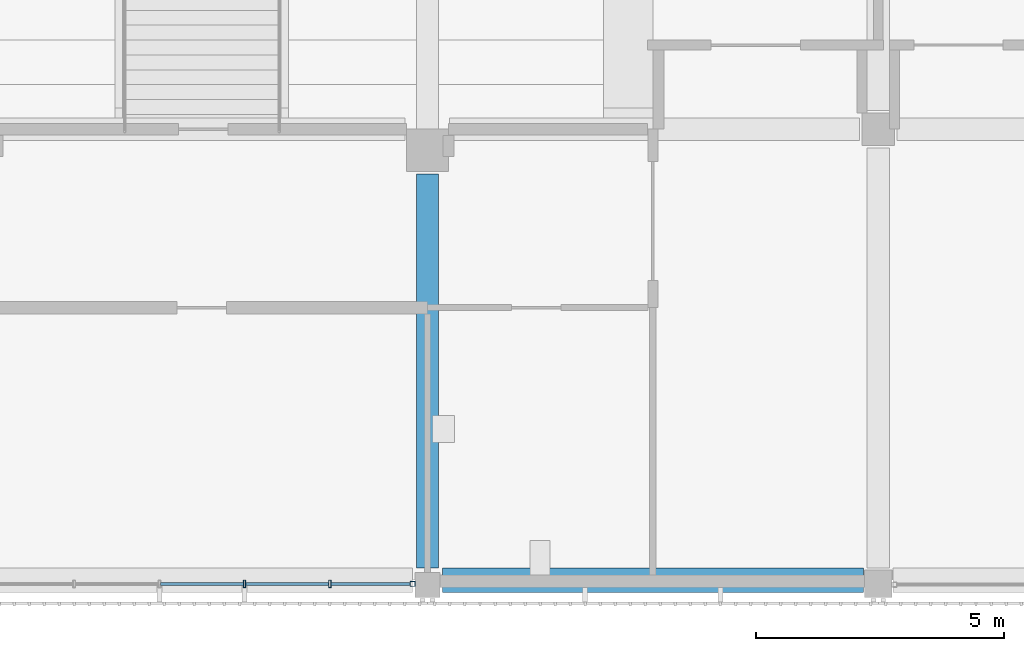
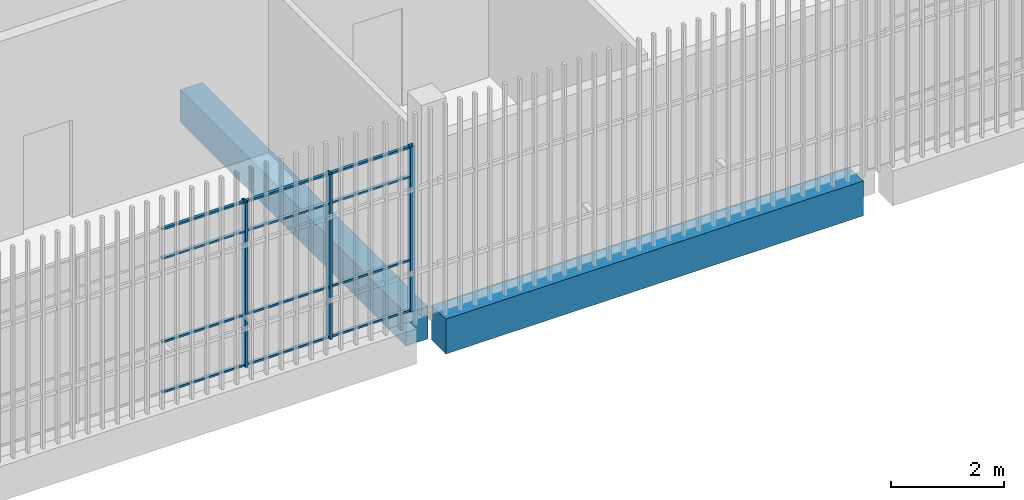
# One storey, part 28 of 139: 15 members, 2 beams, 1 element without a shape of its own.
"""IFC4 building model written with IfcOpenShell, lengths in metres."""

import ifcopenshell
import ifcopenshell.guid

model = None  # the IFC model being written
_history = None  # IfcOwnerHistory: only IFC2X3 demands one
_inside = {}  # id of a spatial element -> (the spatial element, [elements in it])
_under = {}  # id of a project, library or spatial element -> (it, [spatial elements below it])
_declared = {}  # id of a project -> (the project, [libraries it declares])
_typed = {}  # id of a type object -> (the type object, [elements of that type])
_made_of = {}  # id of a material, layer set ... -> (it, [elements and type objects made of it])


def new_model(schema):
    """Start an empty IFC model of exactly this schema.

    Asked for "IFC4X3", IfcOpenShell would pick the latest addendum, in which some entities
    have other attributes; the version numbers below select the first issue.
    IFC2X3 requires an IfcOwnerHistory on every rooted entity: one is made here for all.
    """
    global model, _history
    if schema == "IFC4X3":
        model = ifcopenshell.file(schema_version=(4, 3, 0, 0))
    else:
        model = ifcopenshell.file(schema=schema)
    _inside.clear()
    _under.clear()
    _declared.clear()
    _typed.clear()
    _made_of.clear()
    _history = None
    if model.schema == "IFC2X3":
        org = make("IfcOrganization", Name="unknown")
        user = make(
            "IfcPersonAndOrganization",
            ThePerson=make("IfcPerson", FamilyName="unknown"),
            TheOrganization=org,
        )
        app = make(
            "IfcApplication",
            ApplicationDeveloper=org,
            Version="unknown",
            ApplicationFullName="unknown",
            ApplicationIdentifier="unknown",
        )
        _history = make(
            "IfcOwnerHistory",
            OwningUser=user,
            OwningApplication=app,
            ChangeAction="ADDED",
            CreationDate=0,
        )
    return model


def make(cls, **values):
    """One entity of the class cls with the attributes given. An attribute that is None is left unset."""
    return model.create_entity(
        cls, **{name: value for name, value in values.items() if value is not None}
    )


def rooted(cls, **values):
    """An entity with a GlobalId (a new one), such as an element, a storey or a relation."""
    return make(cls, GlobalId=ifcopenshell.guid.new(), OwnerHistory=_history, **values)


def si_unit(unit_type, name, prefix=None):
    """IfcSIUnit, for example si_unit("LENGTHUNIT", "METRE", prefix="MILLI")."""
    return make("IfcSIUnit", UnitType=unit_type, Prefix=prefix, Name=name)


def assignment(units):
    """IfcUnitAssignment: the units of a project."""
    return None if units is None else make("IfcUnitAssignment", Units=units)


def point(xyz):
    """IfcCartesianPoint."""
    return None if xyz is None else make("IfcCartesianPoint", Coordinates=xyz)


def direction(xyz):
    """IfcDirection."""
    return None if xyz is None else make("IfcDirection", DirectionRatios=xyz)


def frame(location, z_axis=None, x_axis=None):
    """IfcAxis2Placement3D, a coordinate frame: its origin and axes. An axis left out is left unset."""
    return make(
        "IfcAxis2Placement3D",
        Location=point(location),
        Axis=direction(z_axis),
        RefDirection=direction(x_axis),
    )


def frame_2d(location, x_axis=None):
    """IfcAxis2Placement2D, a coordinate frame in the plane: its origin and x axis."""
    return make(
        "IfcAxis2Placement2D", Location=point(location), RefDirection=direction(x_axis)
    )


def origin():
    """The frame at (0, 0, 0) with its axes left unset."""
    return frame((0.0, 0.0, 0.0))


def origin_2d():
    """The frame at (0, 0) in the plane with its x axis left unset."""
    return frame_2d((0.0, 0.0))


def place(relative_to, where):
    """IfcLocalPlacement: puts the frame where relative to a parent placement (None: the world)."""
    return make(
        "IfcLocalPlacement", PlacementRelTo=relative_to, RelativePlacement=where
    )


def context(
    kind, dimensions, precision=None, world=None, true_north=None, identifier=None
):
    """IfcGeometricRepresentationContext, for example the 3D "Model" context."""
    return make(
        "IfcGeometricRepresentationContext",
        ContextIdentifier=identifier,
        ContextType=kind,
        CoordinateSpaceDimension=dimensions,
        Precision=precision,
        WorldCoordinateSystem=world,
        TrueNorth=true_north,
    )


def subcontext(parent, identifier, kind, view, scale=None):
    """IfcGeometricRepresentationSubContext, for example "Body" below "Model"."""
    return make(
        "IfcGeometricRepresentationSubContext",
        ContextIdentifier=identifier,
        ContextType=kind,
        ParentContext=parent,
        TargetScale=scale,
        TargetView=view,
    )


def project(units=None, contexts=None):
    """IfcProject with its units and contexts."""
    return rooted(
        "IfcProject",
        Name="project",
        RepresentationContexts=contexts,
        UnitsInContext=assignment(units),
    )


def spatial(cls, under=None, at=None, **own):
    """A site, building, storey or space (cls), placed at a placement, below another one or the project."""
    s = rooted(cls, ObjectPlacement=at, **own)
    if under is not None:
        _under.setdefault(under.id(), (under, []))[1].append(s)
    return s


def profile(cls, at=None, kind="AREA", **sizes):
    """A parametric profile (cls). Its sizes go by their IFC names, for example OverallWidth=200.0."""
    return make(cls, ProfileType=kind, Position=at, **sizes)


def rectangle(**sizes):
    """IfcRectangleProfileDef."""
    return profile("IfcRectangleProfileDef", **sizes)


def hollow_rectangle(**sizes):
    """IfcRectangleHollowProfileDef."""
    return profile("IfcRectangleHollowProfileDef", **sizes)


def extrude(swept, where, along, depth):
    """IfcExtrudedAreaSolid: the profile swept, set in the frame where, extruded along a direction by depth."""
    return make(
        "IfcExtrudedAreaSolid",
        SweptArea=swept,
        Position=where,
        ExtrudedDirection=direction(along),
        Depth=depth,
    )


def shape(context_of_items, identifier, shape_type, items):
    """IfcShapeRepresentation: the items that make up one representation, for example the "Body"."""
    return make(
        "IfcShapeRepresentation",
        ContextOfItems=context_of_items,
        RepresentationIdentifier=identifier,
        RepresentationType=shape_type,
        Items=items,
    )


def material(Name=None, Category=None):
    """IfcMaterial."""
    return make("IfcMaterial", Name=Name, Category=Category)


def layer(
    of_material, thickness, ventilated=None, Name=None, Category=None, Priority=None
):
    """IfcMaterialLayer: one layer of a wall or slab, of a material (None: an air gap)."""
    return make(
        "IfcMaterialLayer",
        Material=of_material,
        LayerThickness=thickness,
        IsVentilated=ventilated,
        Name=Name,
        Category=Category,
        Priority=Priority,
    )


def layer_set(layers, Name=None):
    """IfcMaterialLayerSet."""
    return make("IfcMaterialLayerSet", MaterialLayers=layers, LayerSetName=Name)


def material_profile(
    of_material, cross_section, Name=None, Category=None, Priority=None
):
    """IfcMaterialProfile: a cross section and its material."""
    return make(
        "IfcMaterialProfile",
        Name=Name,
        Material=of_material,
        Profile=cross_section,
        Priority=Priority,
        Category=Category,
    )


def profile_set(profiles, Name=None, composite=None):
    """IfcMaterialProfileSet."""
    return make(
        "IfcMaterialProfileSet",
        Name=Name,
        MaterialProfiles=profiles,
        CompositeProfile=composite,
    )


def made_of(thing, what):
    """Note that an element or type object is made of a material, layer set ...; save() writes the relation."""
    if what is not None:
        _made_of.setdefault(what.id(), (what, []))[1].append(thing)
    return thing


def type_object(cls, material=None, **own):
    """A type object (cls), such as IfcWallType, which elements share."""
    return made_of(rooted(cls, **own), material)


def element(
    cls,
    number,
    at=None,
    inside=None,
    cuts=None,
    type_object=None,
    material=None,
    context=None,
    identifier="Body",
    shape_type=None,
    held_by="IfcProductDefinitionShape",
    body=None,
    shapes=None,
    **own,
):
    """One element of the class cls, such as IfcWall. Its Tag is "e" and its number.

    at: its placement. inside: the storey or other place that contains it. cuts: it is an
    opening in that element (IfcRelVoidsElement). A single representation is given by context,
    identifier, shape_type and body (its items); several are given by shapes. held_by: the class
    of the entity that holds the representations. save() writes the other relations.
    """
    e = rooted(cls, Tag="e%d" % number, ObjectPlacement=at, **own)
    if body is not None:
        shapes = [shape(context, identifier, shape_type, body)]
    if shapes is not None:
        e.Representation = make(held_by, Representations=shapes)
    if inside is not None:
        _inside.setdefault(inside.id(), (inside, []))[1].append(e)
    if cuts is not None:
        rooted(
            "IfcRelVoidsElement", RelatingBuildingElement=cuts, RelatedOpeningElement=e
        )
    if type_object is not None:
        _typed.setdefault(type_object.id(), (type_object, []))[1].append(e)
    return made_of(e, material)


def aggregate(whole, parts):
    """IfcRelAggregates: a whole, such as a stair, and the parts it consists of."""
    return rooted("IfcRelAggregates", RelatingObject=whole, RelatedObjects=parts)


def save(model, path):
    """Write the relations noted so far, then the file.

    IfcRelAggregates (storeys below a building ...), IfcRelContainedInSpatialStructure (elements
    in a storey), IfcRelDefinesByType, IfcRelAssociatesMaterial and IfcRelDeclares: one each for
    every whole, place, type object, material and project.
    """
    for whole, parts in _under.values():
        aggregate(whole, parts)
    for where, things in _inside.values():
        rooted(
            "IfcRelContainedInSpatialStructure",
            RelatedElements=things,
            RelatingStructure=where,
        )
    for kind, things in _typed.values():
        rooted("IfcRelDefinesByType", RelatedObjects=things, RelatingType=kind)
    for what, things in _made_of.values():
        rooted("IfcRelAssociatesMaterial", RelatedObjects=things, RelatingMaterial=what)
    for by, libraries in _declared.values():
        rooted("IfcRelDeclares", RelatingContext=by, RelatedDefinitions=libraries)
    model.write(path)


model = new_model("IFC4")

# Units and contexts
model_context = context("Model", 3, precision=1e-05, world=origin(), true_north=direction((0.0, 1.0)))
body_context = subcontext(model_context, "Body", "Model", "MODEL_VIEW")
ifc_project = project(units=[si_unit("LENGTHUNIT", "METRE"), si_unit("AREAUNIT", "SQUARE_METRE"), si_unit("VOLUMEUNIT", "CUBIC_METRE"), si_unit("PLANEANGLEUNIT", "RADIAN"), si_unit("MASSUNIT", "GRAM", prefix="KILO")], contexts=[model_context])

# Site, building, storey
site_placement = place(None, origin())
site = spatial("IfcSite", under=ifc_project, at=site_placement, CompositionType="ELEMENT")
building_placement = place(site_placement, origin())
building = spatial("IfcBuilding", under=site, at=building_placement, Name="Shirokan Park Arena", CompositionType="ELEMENT")
storey_placement = place(building_placement, frame((0.0, 0.0, 15.469970703125)))
storey = spatial("IfcBuildingStorey", under=building, at=storey_placement, Name="L03", CompositionType="ELEMENT", Elevation=15.469970703125)

# Curtain wall, members
ifc_material_1 = material(Name="Steel and glass curtain wall", Category="steel")
ifc_layer = layer(ifc_material_1, 0.14990234375)
ifc_layer_set = layer_set([ifc_layer], Name="Steel and glass curtain wall 150 mm")
curtain_wall_type = type_object("IfcCurtainWallType", Name="Curtain wall exposed bay 150", PredefinedType="NOTDEFINED", material=ifc_layer_set)
curtain_wall_placement = place(storey_placement, origin())
curtain_wall = element("IfcCurtainWall", 1, at=curtain_wall_placement, inside=storey, type_object=curtain_wall_type, Name="Curtain wall south bay 11 L03", PredefinedType="NOTDEFINED")
ifc_material_2 = material(Name="Steel S355", Category="steel")
ifc_material_profile_1 = material_profile(ifc_material_2, hollow_rectangle(XDim=0.10009765625, YDim=0.10009765625, WallThickness=0.006103515625, at=origin_2d()), Name="RHS 100x100x6")
ifc_profile_set_1 = profile_set([ifc_material_profile_1], Name="Steel S355")
member_type_1 = type_object("IfcMemberType", Name="Mullion RHS 100x100x6", PredefinedType="MULLION", material=ifc_profile_set_1)
member_1_placement = place(storey_placement, frame((99.800048828125, -0.074951171875, 0.0), z_axis=(0.0, 0.0, 1.0), x_axis=(0.0, 1.0, 0.0)))
member_1 = element("IfcMember", 2, at=member_1_placement, type_object=member_type_1, Name="CW1 mullion 6", PredefinedType="MULLION", context=body_context, shape_type="SweptSolid", body=[
    extrude(hollow_rectangle(XDim=0.10009765625, YDim=0.10009765625, WallThickness=0.006103515625, at=origin_2d()), origin(), (0.0, 0.0, 1.0), 3.550048828125),
])
ifc_material_profile_2 = material_profile(ifc_material_2, hollow_rectangle(XDim=0.14990234375, YDim=0.050048828125, WallThickness=0.006103515625, at=origin_2d()), Name="RHS 150x50x6")
ifc_profile_set_2 = profile_set([ifc_material_profile_2], Name="Steel S355")
member_type_2 = type_object("IfcMemberType", Name="Mullion RHS 150x50x6", PredefinedType="MULLION", material=ifc_profile_set_2)
member_2_placement = place(storey_placement, frame((96.409912109375, -0.074951171875, 0.0), z_axis=(0.0, 0.0, 1.0), x_axis=(0.0, 1.0, 0.0)))
member_2 = element("IfcMember", 3, at=member_2_placement, type_object=member_type_2, Name="CW1 mullion 4", PredefinedType="MULLION", context=body_context, shape_type="SweptSolid", body=[
    extrude(hollow_rectangle(XDim=0.14990234375, YDim=0.050048828125, WallThickness=0.006103515625, at=origin_2d()), origin(), (0.0, 0.0, 1.0), 3.550048828125),
])
member_3_placement = place(storey_placement, frame((98.1298828125, -0.074951171875, 0.0), z_axis=(0.0, 0.0, 1.0), x_axis=(0.0, 1.0, 0.0)))
member_3 = element("IfcMember", 4, at=member_3_placement, type_object=member_type_2, Name="CW1 mullion 5", PredefinedType="MULLION", context=body_context, shape_type="SweptSolid", body=[
    extrude(hollow_rectangle(XDim=0.14990234375, YDim=0.050048828125, WallThickness=0.006103515625, at=origin_2d()), origin(), (0.0, 0.0, 1.0), 3.550048828125),
])

# Beams
ifc_material_3 = material(Name="Concrete C35", Category="concrete")
ifc_material_profile_3 = material_profile(ifc_material_3, rectangle(XDim=0.449951171875, YDim=0.699951171875, at=origin_2d()), Name="450x700")
ifc_profile_set_3 = profile_set([ifc_material_profile_3], Name="Concrete C35")
beam_type_1 = type_object("IfcBeamType", Name="RC girder 450x700", PredefinedType="BEAM", material=ifc_profile_set_3)
beam_1_placement = place(storey_placement, frame((100.10009765625, 0.25, -0.64990234375), z_axis=(0.0, 1.0, 0.0), x_axis=(-1.0, 0.0, 0.0)))
element("IfcBeam", 5, at=beam_1_placement, inside=storey, type_object=beam_type_1, Name="Girder 12A-12B L03", PredefinedType="BEAM", context=body_context, shape_type="SweptSolid", body=[
    extrude(rectangle(XDim=0.449951171875, YDim=0.699951171875, at=origin_2d()), origin(), (0.0, 0.0, 1.0), 7.949951171875),
])
ifc_material_profile_4 = material_profile(ifc_material_3, rectangle(XDim=0.5, YDim=0.75, at=origin_2d()), Name="500x750")
ifc_profile_set_4 = profile_set([ifc_material_profile_4], Name="Concrete C35")
beam_type_2 = type_object("IfcBeamType", Name="RC girder 500x750", PredefinedType="BEAM", material=ifc_profile_set_4)
beam_2_placement = place(storey_placement, frame((100.400146484375, 0.0, -0.675048828125), z_axis=(1.0, 0.0, 0.0), x_axis=(0.0, 1.0, 0.0)))
element("IfcBeam", 6, at=beam_2_placement, inside=storey, type_object=beam_type_2, Name="Girder 12A-13A L03", PredefinedType="BEAM", context=body_context, shape_type="SweptSolid", body=[
    extrude(rectangle(XDim=0.5, YDim=0.75, at=origin_2d()), origin(), (0.0, 0.0, 1.0), 8.499755859375),
])

# Member
ifc_material_profile_5 = material_profile(ifc_material_2, hollow_rectangle(XDim=0.06005859375, YDim=0.0400390625, WallThickness=0.00390625, at=origin_2d()), Name="RHS 60x40x4")
ifc_profile_set_5 = profile_set([ifc_material_profile_5], Name="Steel S355")
member_type_3 = type_object("IfcMemberType", Name="Transom RHS 60x40x4", PredefinedType="MULLION", material=ifc_profile_set_5)
member_4_placement = place(storey_placement, frame((94.715087890625, -0.074951171875, 0.02001953125), z_axis=(1.0, 0.0, 0.0), x_axis=(0.0, 1.0, 0.0)))
member_4 = element("IfcMember", 7, at=member_4_placement, type_object=member_type_3, Name="CW1 transom 3.1", PredefinedType="MULLION", context=body_context, shape_type="SweptSolid", body=[
    extrude(hollow_rectangle(XDim=0.06005859375, YDim=0.0400390625, WallThickness=0.00390625, at=origin_2d()), origin(), (0.0, 0.0, 1.0), 1.669921875),
])

member_5_placement = place(storey_placement, frame((94.715087890625, -0.074951171875, 1.10009765625), z_axis=(1.0, 0.0, 0.0), x_axis=(0.0, 1.0, 0.0)))
member_5 = element("IfcMember", 8, at=member_5_placement, type_object=member_type_3, Name="CW1 transom 3.2", PredefinedType="MULLION", context=body_context, shape_type="SweptSolid", body=[
    extrude(hollow_rectangle(XDim=0.06005859375, YDim=0.0400390625, WallThickness=0.00390625, at=origin_2d()), origin(), (0.0, 0.0, 1.0), 1.669921875),
])

member_6_placement = place(storey_placement, frame((94.715087890625, -0.074951171875, 2.900146484375), z_axis=(1.0, 0.0, 0.0), x_axis=(0.0, 1.0, 0.0)))
member_6 = element("IfcMember", 9, at=member_6_placement, type_object=member_type_3, Name="CW1 transom 3.3", PredefinedType="MULLION", context=body_context, shape_type="SweptSolid", body=[
    extrude(hollow_rectangle(XDim=0.06005859375, YDim=0.0400390625, WallThickness=0.00390625, at=origin_2d()), origin(), (0.0, 0.0, 1.0), 1.669921875),
])

member_7_placement = place(storey_placement, frame((94.715087890625, -0.074951171875, 3.530029296875), z_axis=(1.0, 0.0, 0.0), x_axis=(0.0, 1.0, 0.0)))
member_7 = element("IfcMember", 10, at=member_7_placement, type_object=member_type_3, Name="CW1 transom 3.4", PredefinedType="MULLION", context=body_context, shape_type="SweptSolid", body=[
    extrude(hollow_rectangle(XDim=0.06005859375, YDim=0.0400390625, WallThickness=0.00390625, at=origin_2d()), origin(), (0.0, 0.0, 1.0), 1.669921875),
])

member_8_placement = place(storey_placement, frame((96.43505859375, -0.074951171875, 0.02001953125), z_axis=(1.0, 0.0, 0.0), x_axis=(0.0, 1.0, 0.0)))
member_8 = element("IfcMember", 11, at=member_8_placement, type_object=member_type_3, Name="CW1 transom 4.1", PredefinedType="MULLION", context=body_context, shape_type="SweptSolid", body=[
    extrude(hollow_rectangle(XDim=0.06005859375, YDim=0.0400390625, WallThickness=0.00390625, at=origin_2d()), origin(), (0.0, 0.0, 1.0), 1.669921875),
])

member_9_placement = place(storey_placement, frame((96.43505859375, -0.074951171875, 1.10009765625), z_axis=(1.0, 0.0, 0.0), x_axis=(0.0, 1.0, 0.0)))
member_9 = element("IfcMember", 12, at=member_9_placement, type_object=member_type_3, Name="CW1 transom 4.2", PredefinedType="MULLION", context=body_context, shape_type="SweptSolid", body=[
    extrude(hollow_rectangle(XDim=0.06005859375, YDim=0.0400390625, WallThickness=0.00390625, at=origin_2d()), origin(), (0.0, 0.0, 1.0), 1.669921875),
])

member_10_placement = place(storey_placement, frame((96.43505859375, -0.074951171875, 2.900146484375), z_axis=(1.0, 0.0, 0.0), x_axis=(0.0, 1.0, 0.0)))
member_10 = element("IfcMember", 13, at=member_10_placement, type_object=member_type_3, Name="CW1 transom 4.3", PredefinedType="MULLION", context=body_context, shape_type="SweptSolid", body=[
    extrude(hollow_rectangle(XDim=0.06005859375, YDim=0.0400390625, WallThickness=0.00390625, at=origin_2d()), origin(), (0.0, 0.0, 1.0), 1.669921875),
])

member_11_placement = place(storey_placement, frame((96.43505859375, -0.074951171875, 3.530029296875), z_axis=(1.0, 0.0, 0.0), x_axis=(0.0, 1.0, 0.0)))
member_11 = element("IfcMember", 14, at=member_11_placement, type_object=member_type_3, Name="CW1 transom 4.4", PredefinedType="MULLION", context=body_context, shape_type="SweptSolid", body=[
    extrude(hollow_rectangle(XDim=0.06005859375, YDim=0.0400390625, WallThickness=0.00390625, at=origin_2d()), origin(), (0.0, 0.0, 1.0), 1.669921875),
])

member_12_placement = place(storey_placement, frame((98.155029296875, -0.074951171875, 0.02001953125), z_axis=(1.0, 0.0, 0.0), x_axis=(0.0, 1.0, 0.0)))
member_12 = element("IfcMember", 15, at=member_12_placement, type_object=member_type_3, Name="CW1 transom 5.1", PredefinedType="MULLION", context=body_context, shape_type="SweptSolid", body=[
    extrude(hollow_rectangle(XDim=0.06005859375, YDim=0.0400390625, WallThickness=0.00390625, at=origin_2d()), origin(), (0.0, 0.0, 1.0), 1.594970703125),
])

member_13_placement = place(storey_placement, frame((98.155029296875, -0.074951171875, 1.10009765625), z_axis=(1.0, 0.0, 0.0), x_axis=(0.0, 1.0, 0.0)))
member_13 = element("IfcMember", 16, at=member_13_placement, type_object=member_type_3, Name="CW1 transom 5.2", PredefinedType="MULLION", context=body_context, shape_type="SweptSolid", body=[
    extrude(hollow_rectangle(XDim=0.06005859375, YDim=0.0400390625, WallThickness=0.00390625, at=origin_2d()), origin(), (0.0, 0.0, 1.0), 1.594970703125),
])

member_14_placement = place(storey_placement, frame((98.155029296875, -0.074951171875, 2.900146484375), z_axis=(1.0, 0.0, 0.0), x_axis=(0.0, 1.0, 0.0)))
member_14 = element("IfcMember", 17, at=member_14_placement, type_object=member_type_3, Name="CW1 transom 5.3", PredefinedType="MULLION", context=body_context, shape_type="SweptSolid", body=[
    extrude(hollow_rectangle(XDim=0.06005859375, YDim=0.0400390625, WallThickness=0.00390625, at=origin_2d()), origin(), (0.0, 0.0, 1.0), 1.594970703125),
])

member_15_placement = place(storey_placement, frame((98.155029296875, -0.074951171875, 3.530029296875), z_axis=(1.0, 0.0, 0.0), x_axis=(0.0, 1.0, 0.0)))
member_15 = element("IfcMember", 18, at=member_15_placement, type_object=member_type_3, Name="CW1 transom 5.4", PredefinedType="MULLION", context=body_context, shape_type="SweptSolid", body=[
    extrude(hollow_rectangle(XDim=0.06005859375, YDim=0.0400390625, WallThickness=0.00390625, at=origin_2d()), origin(), (0.0, 0.0, 1.0), 1.594970703125),
])

aggregate(curtain_wall, [member_2, member_3, member_1, member_4, member_5, member_6, member_7, member_8, member_9, member_10, member_11, member_12, member_13, member_14, member_15])

save(model, "model.ifc")
